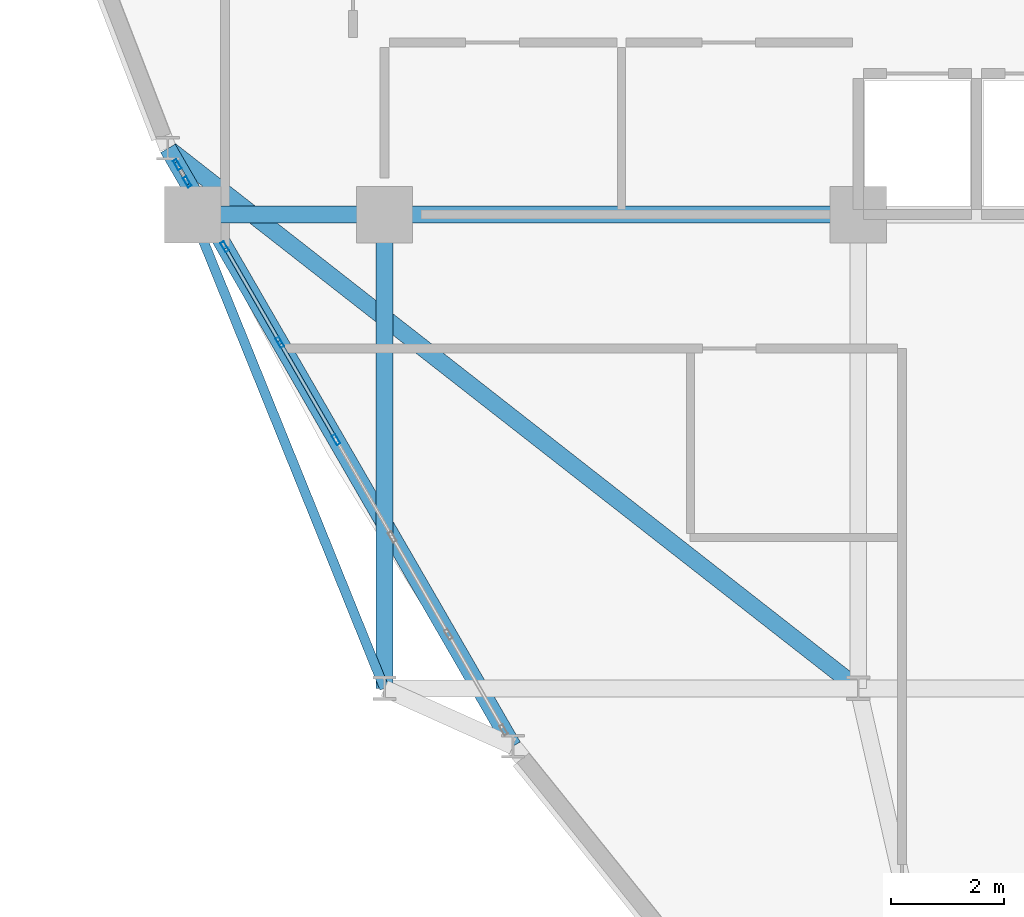
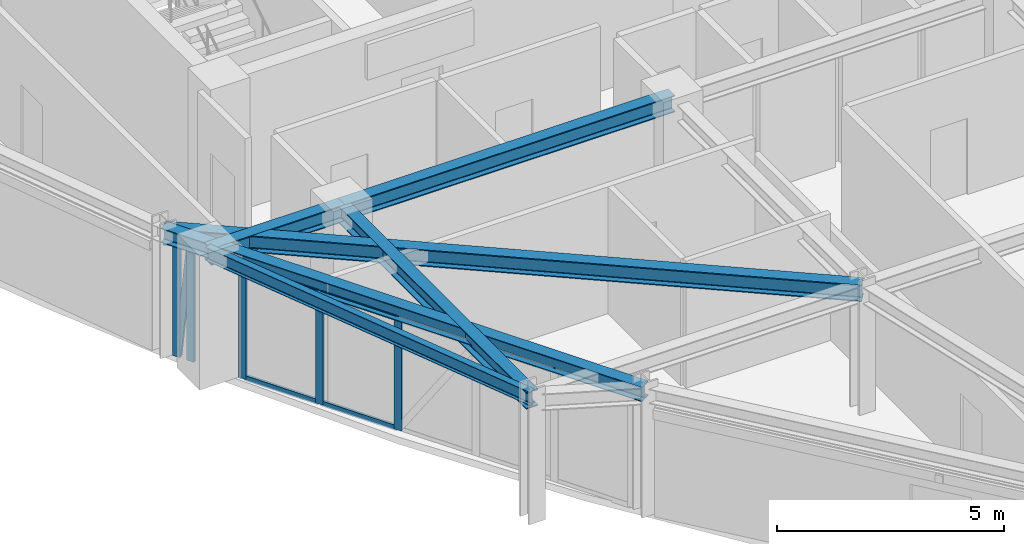
# One storey, part 5 of 16: 10 members, 6 beams, 2 elements without a shape of their own.
"""IFC4 building model written with IfcOpenShell, lengths in metres."""

import ifcopenshell
import ifcopenshell.guid

model = None  # the IFC model being written
_history = None  # IfcOwnerHistory: only IFC2X3 demands one
_inside = {}  # id of a spatial element -> (the spatial element, [elements in it])
_under = {}  # id of a project, library or spatial element -> (it, [spatial elements below it])
_declared = {}  # id of a project -> (the project, [libraries it declares])
_typed = {}  # id of a type object -> (the type object, [elements of that type])
_made_of = {}  # id of a material, layer set ... -> (it, [elements and type objects made of it])


def new_model(schema):
    """Start an empty IFC model of exactly this schema.

    Asked for "IFC4X3", IfcOpenShell would pick the latest addendum, in which some entities
    have other attributes; the version numbers below select the first issue.
    IFC2X3 requires an IfcOwnerHistory on every rooted entity: one is made here for all.
    """
    global model, _history
    if schema == "IFC4X3":
        model = ifcopenshell.file(schema_version=(4, 3, 0, 0))
    else:
        model = ifcopenshell.file(schema=schema)
    _inside.clear()
    _under.clear()
    _declared.clear()
    _typed.clear()
    _made_of.clear()
    _history = None
    if model.schema == "IFC2X3":
        org = make("IfcOrganization", Name="unknown")
        user = make(
            "IfcPersonAndOrganization",
            ThePerson=make("IfcPerson", FamilyName="unknown"),
            TheOrganization=org,
        )
        app = make(
            "IfcApplication",
            ApplicationDeveloper=org,
            Version="unknown",
            ApplicationFullName="unknown",
            ApplicationIdentifier="unknown",
        )
        _history = make(
            "IfcOwnerHistory",
            OwningUser=user,
            OwningApplication=app,
            ChangeAction="ADDED",
            CreationDate=0,
        )
    return model


def make(cls, **values):
    """One entity of the class cls with the attributes given. An attribute that is None is left unset."""
    return model.create_entity(
        cls, **{name: value for name, value in values.items() if value is not None}
    )


def rooted(cls, **values):
    """An entity with a GlobalId (a new one), such as an element, a storey or a relation."""
    return make(cls, GlobalId=ifcopenshell.guid.new(), OwnerHistory=_history, **values)


def si_unit(unit_type, name, prefix=None):
    """IfcSIUnit, for example si_unit("LENGTHUNIT", "METRE", prefix="MILLI")."""
    return make("IfcSIUnit", UnitType=unit_type, Prefix=prefix, Name=name)


def derived_unit(unit_type, elements):
    """IfcDerivedUnit: a product of units, each with its exponent."""
    return make(
        "IfcDerivedUnit",
        Elements=[
            make("IfcDerivedUnitElement", Unit=unit, Exponent=power)
            for unit, power in elements
        ],
        UnitType=unit_type,
    )


def assignment(units):
    """IfcUnitAssignment: the units of a project."""
    return None if units is None else make("IfcUnitAssignment", Units=units)


def point(xyz):
    """IfcCartesianPoint."""
    return None if xyz is None else make("IfcCartesianPoint", Coordinates=xyz)


def direction(xyz):
    """IfcDirection."""
    return None if xyz is None else make("IfcDirection", DirectionRatios=xyz)


def frame(location, z_axis=None, x_axis=None):
    """IfcAxis2Placement3D, a coordinate frame: its origin and axes. An axis left out is left unset."""
    return make(
        "IfcAxis2Placement3D",
        Location=point(location),
        Axis=direction(z_axis),
        RefDirection=direction(x_axis),
    )


def frame_2d(location, x_axis=None):
    """IfcAxis2Placement2D, a coordinate frame in the plane: its origin and x axis."""
    return make(
        "IfcAxis2Placement2D", Location=point(location), RefDirection=direction(x_axis)
    )


def origin():
    """The frame at (0, 0, 0) with its axes left unset."""
    return frame((0.0, 0.0, 0.0))


def origin_2d():
    """The frame at (0, 0) in the plane with its x axis left unset."""
    return frame_2d((0.0, 0.0))


def place(relative_to, where):
    """IfcLocalPlacement: puts the frame where relative to a parent placement (None: the world)."""
    return make(
        "IfcLocalPlacement", PlacementRelTo=relative_to, RelativePlacement=where
    )


def context(
    kind, dimensions, precision=None, world=None, true_north=None, identifier=None
):
    """IfcGeometricRepresentationContext, for example the 3D "Model" context."""
    return make(
        "IfcGeometricRepresentationContext",
        ContextIdentifier=identifier,
        ContextType=kind,
        CoordinateSpaceDimension=dimensions,
        Precision=precision,
        WorldCoordinateSystem=world,
        TrueNorth=true_north,
    )


def subcontext(parent, identifier, kind, view, scale=None):
    """IfcGeometricRepresentationSubContext, for example "Body" below "Model"."""
    return make(
        "IfcGeometricRepresentationSubContext",
        ContextIdentifier=identifier,
        ContextType=kind,
        ParentContext=parent,
        TargetScale=scale,
        TargetView=view,
    )


def project(units=None, contexts=None):
    """IfcProject with its units and contexts."""
    return rooted(
        "IfcProject",
        Name="project",
        RepresentationContexts=contexts,
        UnitsInContext=assignment(units),
    )


def spatial(cls, under=None, at=None, **own):
    """A site, building, storey or space (cls), placed at a placement, below another one or the project."""
    s = rooted(cls, ObjectPlacement=at, **own)
    if under is not None:
        _under.setdefault(under.id(), (under, []))[1].append(s)
    return s


def profile(cls, at=None, kind="AREA", **sizes):
    """A parametric profile (cls). Its sizes go by their IFC names, for example OverallWidth=200.0."""
    return make(cls, ProfileType=kind, Position=at, **sizes)


def hollow_rectangle(**sizes):
    """IfcRectangleHollowProfileDef."""
    return profile("IfcRectangleHollowProfileDef", **sizes)


def i_section(**sizes):
    """IfcIShapeProfileDef."""
    return profile("IfcIShapeProfileDef", **sizes)


def extrude(swept, where, along, depth):
    """IfcExtrudedAreaSolid: the profile swept, set in the frame where, extruded along a direction by depth."""
    return make(
        "IfcExtrudedAreaSolid",
        SweptArea=swept,
        Position=where,
        ExtrudedDirection=direction(along),
        Depth=depth,
    )


def shape(context_of_items, identifier, shape_type, items):
    """IfcShapeRepresentation: the items that make up one representation, for example the "Body"."""
    return make(
        "IfcShapeRepresentation",
        ContextOfItems=context_of_items,
        RepresentationIdentifier=identifier,
        RepresentationType=shape_type,
        Items=items,
    )


def source(mapping_origin, context_of_items, identifier, shape_type, items):
    """IfcRepresentationMap: a shape defined once, which mapped items show again and again."""
    return make(
        "IfcRepresentationMap",
        MappingOrigin=mapping_origin,
        MappedRepresentation=shape(context_of_items, identifier, shape_type, items),
    )


def transform(
    local_origin,
    x_axis=None,
    y_axis=None,
    z_axis=None,
    scale=None,
    scale2=None,
    scale3=None,
    uniform=True,
):
    """IfcCartesianTransformationOperator3D, or its non-uniform kind. x_axis, y_axis, z_axis: its Axis1, 2, 3."""
    if uniform:
        return make(
            "IfcCartesianTransformationOperator3D",
            Axis1=direction(x_axis),
            Axis2=direction(y_axis),
            LocalOrigin=point(local_origin),
            Scale=scale,
            Axis3=direction(z_axis),
        )
    return make(
        "IfcCartesianTransformationOperator3DnonUniform",
        Axis1=direction(x_axis),
        Axis2=direction(y_axis),
        LocalOrigin=point(local_origin),
        Scale=scale,
        Axis3=direction(z_axis),
        Scale2=scale2,
        Scale3=scale3,
    )


def mapped(mapping_source, mapping_target):
    """IfcMappedItem: shows the shape of a source again, moved by a transform."""
    return make(
        "IfcMappedItem", MappingSource=mapping_source, MappingTarget=mapping_target
    )


def material(Name=None, Category=None):
    """IfcMaterial."""
    return make("IfcMaterial", Name=Name, Category=Category)


def layer(
    of_material, thickness, ventilated=None, Name=None, Category=None, Priority=None
):
    """IfcMaterialLayer: one layer of a wall or slab, of a material (None: an air gap)."""
    return make(
        "IfcMaterialLayer",
        Material=of_material,
        LayerThickness=thickness,
        IsVentilated=ventilated,
        Name=Name,
        Category=Category,
        Priority=Priority,
    )


def layer_set(layers, Name=None):
    """IfcMaterialLayerSet."""
    return make("IfcMaterialLayerSet", MaterialLayers=layers, LayerSetName=Name)


def material_profile(
    of_material, cross_section, Name=None, Category=None, Priority=None
):
    """IfcMaterialProfile: a cross section and its material."""
    return make(
        "IfcMaterialProfile",
        Name=Name,
        Material=of_material,
        Profile=cross_section,
        Priority=Priority,
        Category=Category,
    )


def profile_set(profiles, Name=None, composite=None):
    """IfcMaterialProfileSet."""
    return make(
        "IfcMaterialProfileSet",
        Name=Name,
        MaterialProfiles=profiles,
        CompositeProfile=composite,
    )


def made_of(thing, what):
    """Note that an element or type object is made of a material, layer set ...; save() writes the relation."""
    if what is not None:
        _made_of.setdefault(what.id(), (what, []))[1].append(thing)
    return thing


def type_object(cls, material=None, **own):
    """A type object (cls), such as IfcWallType, which elements share."""
    return made_of(rooted(cls, **own), material)


def element(
    cls,
    number,
    at=None,
    inside=None,
    cuts=None,
    type_object=None,
    material=None,
    context=None,
    identifier="Body",
    shape_type=None,
    held_by="IfcProductDefinitionShape",
    body=None,
    shapes=None,
    **own,
):
    """One element of the class cls, such as IfcWall. Its Tag is "e" and its number.

    at: its placement. inside: the storey or other place that contains it. cuts: it is an
    opening in that element (IfcRelVoidsElement). A single representation is given by context,
    identifier, shape_type and body (its items); several are given by shapes. held_by: the class
    of the entity that holds the representations. save() writes the other relations.
    """
    e = rooted(cls, Tag="e%d" % number, ObjectPlacement=at, **own)
    if body is not None:
        shapes = [shape(context, identifier, shape_type, body)]
    if shapes is not None:
        e.Representation = make(held_by, Representations=shapes)
    if inside is not None:
        _inside.setdefault(inside.id(), (inside, []))[1].append(e)
    if cuts is not None:
        rooted(
            "IfcRelVoidsElement", RelatingBuildingElement=cuts, RelatedOpeningElement=e
        )
    if type_object is not None:
        _typed.setdefault(type_object.id(), (type_object, []))[1].append(e)
    return made_of(e, material)


def aggregate(whole, parts):
    """IfcRelAggregates: a whole, such as a stair, and the parts it consists of."""
    return rooted("IfcRelAggregates", RelatingObject=whole, RelatedObjects=parts)


def save(model, path):
    """Write the relations noted so far, then the file.

    IfcRelAggregates (storeys below a building ...), IfcRelContainedInSpatialStructure (elements
    in a storey), IfcRelDefinesByType, IfcRelAssociatesMaterial and IfcRelDeclares: one each for
    every whole, place, type object, material and project.
    """
    for whole, parts in _under.values():
        aggregate(whole, parts)
    for where, things in _inside.values():
        rooted(
            "IfcRelContainedInSpatialStructure",
            RelatedElements=things,
            RelatingStructure=where,
        )
    for kind, things in _typed.values():
        rooted("IfcRelDefinesByType", RelatedObjects=things, RelatingType=kind)
    for what, things in _made_of.values():
        rooted("IfcRelAssociatesMaterial", RelatedObjects=things, RelatingMaterial=what)
    for by, libraries in _declared.values():
        rooted("IfcRelDeclares", RelatingContext=by, RelatedDefinitions=libraries)
    model.write(path)


model = new_model("IFC4")

# Units and contexts
model_context = context("Model", 3, precision=1e-05, world=origin(), true_north=direction((0.0, 1.0)))
body_context = subcontext(model_context, "Body", "Model", "MODEL_VIEW")
ifc_project = project(units=[si_unit("LENGTHUNIT", "METRE"), si_unit("AREAUNIT", "SQUARE_METRE"), si_unit("VOLUMEUNIT", "CUBIC_METRE"), si_unit("PLANEANGLEUNIT", "RADIAN"), si_unit("MASSUNIT", "GRAM", prefix="KILO"), derived_unit("THERMALTRANSMITTANCEUNIT", [(si_unit("POWERUNIT", "WATT"), 1), (si_unit("LENGTHUNIT", "METRE"), -2), (si_unit("THERMODYNAMICTEMPERATUREUNIT", "KELVIN"), -1)])], contexts=[model_context])

# Site, building, storey
site_placement = place(None, origin())
site = spatial("IfcSite", under=ifc_project, at=site_placement, CompositionType="ELEMENT")
building_placement = place(site_placement, origin())
building = spatial("IfcBuilding", under=site, at=building_placement, Name="Korsvarv Bourse and Concert Hall", CompositionType="ELEMENT")
storey_placement = place(building_placement, frame((0.0, 0.0, 216.60009765625)))
storey = spatial("IfcBuildingStorey", under=building, at=storey_placement, Name="L56", CompositionType="ELEMENT", Elevation=216.60009765625)

# Beams
ifc_material_1 = material(Name="Steel S355", Category="steel")
ifc_material_profile_1 = material_profile(ifc_material_1, i_section(OverallWidth=0.169921875, OverallDepth=0.360107421875, WebThickness=0.008056640625, FlangeThickness=0.0126953125, FilletRadius=0.01806640625, at=origin_2d()), Name="IPE 360")
ifc_profile_set_1 = profile_set([ifc_material_profile_1], Name="Steel S355")
beam_type_1 = type_object("IfcBeamType", Name="BM-IPE360", PredefinedType="JOIST", material=ifc_profile_set_1)
shared_shape_1 = source(origin(), body_context, "Body", "SweptSolid", [
    extrude(i_section(OverallWidth=0.169921875, OverallDepth=0.360107421875, WebThickness=0.008056640625, FlangeThickness=0.0126953125, FilletRadius=0.01806640625, at=origin_2d()), origin(), (0.0, 0.0, 1.0), 9.06201171875),
])
beam_1_placement = place(storey_placement, frame((24.199951171875, 32.39990234375, 3.22998046875), z_axis=(0.375210394783, -0.926939674222, 0.0), x_axis=(0.926939674222, 0.375210394783, 0.0)))
element("IfcBeam", 1, at=beam_1_placement, inside=storey, type_object=beam_type_1, Name="L56 beam J-06", PredefinedType="JOIST", context=body_context, shape_type="MappedRepresentation", body=[
    mapped(shared_shape_1, transform((0.0, 0.0, 0.0), scale=1.0)),
])
ifc_material_profile_2 = material_profile(ifc_material_1, i_section(OverallWidth=0.300048828125, OverallDepth=0.449951171875, WebThickness=0.013916015625, FlangeThickness=0.02587890625, FilletRadius=0.02099609375, at=origin_2d()), Name="HEB 450")
ifc_profile_set_2 = profile_set([ifc_material_profile_2], Name="Steel S355")
beam_type_2 = type_object("IfcBeamType", Name="BM-HEB450", PredefinedType="SPANDREL", material=ifc_profile_set_2)
shared_shape_2 = source(origin(), body_context, "Body", "SweptSolid", [
    extrude(i_section(OverallWidth=0.300048828125, OverallDepth=0.449951171875, WebThickness=0.013916015625, FlangeThickness=0.02587890625, FilletRadius=0.02099609375, at=origin_2d()), origin(), (0.0, 0.0, 1.0), 3.400146484375),
])
beam_2_placement = place(storey_placement, frame((24.199951171875, 32.39990234375, 3.184814453125), z_axis=(1.0, 0.0, 0.0), x_axis=(0.0, 1.0, 0.0)))
element("IfcBeam", 2, at=beam_2_placement, inside=storey, type_object=beam_type_2, Name="L56 beam B-08", PredefinedType="SPANDREL", context=body_context, shape_type="MappedRepresentation", body=[
    mapped(shared_shape_2, transform((0.0, 0.0, 0.0), scale=1.0)),
])
shared_shape_3 = source(origin(), body_context, "Body", "SweptSolid", [
    extrude(i_section(OverallWidth=0.300048828125, OverallDepth=0.449951171875, WebThickness=0.013916015625, FlangeThickness=0.02587890625, FilletRadius=0.02099609375, at=origin_2d()), origin(), (0.0, 0.0, 1.0), 8.39990234375),
])
for number, where, z_axis, x_axis, name in (
    (3, (27.60009765625, 32.39990234375, 3.184814453125), (1.0, 0.0, 0.0), (0.0, 1.0, 0.0), "L56 beam B-08"),
    (4, (27.60009765625, 24.0, 3.184814453125), (0.0, 1.0, 0.0), (-1.0, 0.0, 0.0), "L56 beam B-08"),
):
    element("IfcBeam", number, at=place(storey_placement, frame(where, z_axis=z_axis, x_axis=x_axis)), inside=storey, type_object=beam_type_2, Name=name, PredefinedType="SPANDREL", context=body_context, shape_type="MappedRepresentation", body=[
        mapped(shared_shape_3, transform((0.0, 0.0, 0.0), scale=1.0)),
    ])
ifc_material_profile_3 = material_profile(ifc_material_1, i_section(OverallWidth=0.300048828125, OverallDepth=0.389892578125, WebThickness=0.010986328125, FlangeThickness=0.01904296875, FilletRadius=0.02099609375, at=origin_2d()), Name="HEA 400")
ifc_profile_set_3 = profile_set([ifc_material_profile_3], Name="Steel S355")
beam_type_3 = type_object("IfcBeamType", Name="BM-HEA400", PredefinedType="BEAM", material=ifc_profile_set_3)
shared_shape_4 = source(origin(), body_context, "Body", "SweptSolid", [
    extrude(i_section(OverallWidth=0.300048828125, OverallDepth=0.389892578125, WebThickness=0.010986328125, FlangeThickness=0.01904296875, FilletRadius=0.02099609375, at=origin_2d()), origin(), (0.0, 0.0, 1.0), 12.238037109375),
])
beam_3_placement = place(storey_placement, frame((23.760498046875, 33.57421875, 3.21484375), z_axis=(0.499994725302, -0.866028449111, 0.0), x_axis=(0.866028449111, 0.499994725302, 0.0)))
element("IfcBeam", 5, at=beam_3_placement, inside=storey, type_object=beam_type_3, Name="L56 beam B-11", PredefinedType="BEAM", context=body_context, shape_type="MappedRepresentation", body=[
    mapped(shared_shape_4, transform((0.0, 0.0, 0.0), scale=1.0)),
])
shared_shape_5 = source(origin(), body_context, "Body", "SweptSolid", [
    extrude(i_section(OverallWidth=0.300048828125, OverallDepth=0.449951171875, WebThickness=0.013916015625, FlangeThickness=0.02587890625, FilletRadius=0.02099609375, at=origin_2d()), origin(), (0.0, 0.0, 1.0), 15.539306640625),
])
beam_4_placement = place(storey_placement, frame((23.760498046875, 33.57421875, 3.184814453125), z_axis=(0.787646214756, -0.616127779264, 0.0), x_axis=(0.616127779264, 0.787646214756, 0.0)))
element("IfcBeam", 6, at=beam_4_placement, inside=storey, type_object=beam_type_2, Name="L56 beam B-08", PredefinedType="SPANDREL", context=body_context, shape_type="MappedRepresentation", body=[
    mapped(shared_shape_5, transform((0.0, 0.0, 0.0), scale=1.0)),
])

# Curtain wall, members
ifc_material_2 = material(Name="Anodised aluminium and triple low-E glazing", Category="glass")
ifc_layer = layer(ifc_material_2, 0.199951171875)
ifc_layer_set = layer_set([ifc_layer], Name="Anodised aluminium and triple low-E glazing")
curtain_wall_type = type_object("IfcCurtainWallType", Name="CW-SYS-3", PredefinedType="NOTDEFINED", material=ifc_layer_set)
curtain_wall_1_placement = place(storey_placement, origin())
curtain_wall_1 = element("IfcCurtainWall", 7, at=curtain_wall_1_placement, inside=storey, type_object=curtain_wall_type, Name="L56 CW3 curtain wall CW-L56-F07-2", PredefinedType="NOTDEFINED")
ifc_material_3 = material(Name="Extruded aluminium EN AW-6063 T66", Category="aluminium")
ifc_material_profile_4 = material_profile(ifc_material_3, hollow_rectangle(XDim=0.070068359375, YDim=0.18994140625, WallThickness=0.0048828125, at=origin_2d()), Name="ALU-M 70x190")
ifc_profile_set_4 = profile_set([ifc_material_profile_4], Name="Extruded aluminium EN AW-6063 T66")
member_type_1 = type_object("IfcMemberType", Name="CWM-190", PredefinedType="MULLION", material=ifc_profile_set_4)
shared_shape_6 = source(origin(), body_context, "Body", "SweptSolid", [
    extrude(hollow_rectangle(XDim=0.070068359375, YDim=0.18994140625, WallThickness=0.0048828125, at=origin_2d()), origin(), (0.0, 0.0, 1.0), 3.02001953125),
])
member_1_placement = place(storey_placement, frame((24.767578125, 31.830078125, 0.0), z_axis=(0.0, 0.0, 1.0), x_axis=(0.866027766968, 0.499995906824, 0.0)))
member_1 = element("IfcMember", 8, at=member_1_placement, type_object=member_type_1, Name="CW3 mullion 1", PredefinedType="MULLION", context=body_context, shape_type="MappedRepresentation", body=[
    mapped(shared_shape_6, transform((0.0, 0.0, 0.0), scale=1.0)),
])
member_2_placement = place(storey_placement, frame((25.74609375, 30.135009765625, 0.0), z_axis=(0.0, 0.0, 1.0), x_axis=(0.866027766968, 0.499995906824, 0.0)))
member_2 = element("IfcMember", 9, at=member_2_placement, type_object=member_type_1, Name="CW3 mullion 2", PredefinedType="MULLION", context=body_context, shape_type="MappedRepresentation", body=[
    mapped(shared_shape_6, transform((0.0, 0.0, 0.0), scale=1.0)),
])
member_3_placement = place(storey_placement, frame((26.7421875, 28.40966796875, 0.0), z_axis=(0.0, 0.0, 1.0), x_axis=(0.866027766968, 0.499995906824, 0.0)))
member_3 = element("IfcMember", 10, at=member_3_placement, type_object=member_type_1, Name="CW3 mullion 3", PredefinedType="MULLION", context=body_context, shape_type="MappedRepresentation", body=[
    mapped(shared_shape_6, transform((0.0, 0.0, 0.0), scale=1.0)),
])

curtain_wall_2_placement = place(storey_placement, origin())
curtain_wall_2 = element("IfcCurtainWall", 11, at=curtain_wall_2_placement, inside=storey, type_object=curtain_wall_type, Name="L56 CW3 curtain wall CW-L56-F07-1", PredefinedType="NOTDEFINED")
shared_shape_7 = source(origin(), body_context, "Body", "SweptSolid", [
    extrude(hollow_rectangle(XDim=0.070068359375, YDim=0.18994140625, WallThickness=0.0048828125, at=origin_2d()), origin(), (0.0, 0.0, 1.0), 2.9599609375),
])
member_4_placement = place(storey_placement, frame((23.927001953125, 33.285888671875, 0.0), z_axis=(0.0, 0.0, 1.0), x_axis=(0.866051688791, 0.49995447027, 0.0)))
member_4 = element("IfcMember", 12, at=member_4_placement, type_object=member_type_1, Name="CW3 mullion 1", PredefinedType="MULLION", context=body_context, shape_type="MappedRepresentation", body=[
    mapped(shared_shape_7, transform((0.0, 0.0, 0.0), scale=1.0)),
])
member_5_placement = place(storey_placement, frame((24.103515625, 32.980224609375, 0.0), z_axis=(0.0, 0.0, 1.0), x_axis=(0.866051688791, 0.49995447027, 0.0)))
member_5 = element("IfcMember", 13, at=member_5_placement, type_object=member_type_1, Name="CW3 mullion 2", PredefinedType="MULLION", context=body_context, shape_type="MappedRepresentation", body=[
    mapped(shared_shape_7, transform((0.0, 0.0, 0.0), scale=1.0)),
])
ifc_material_profile_5 = material_profile(ifc_material_3, hollow_rectangle(XDim=0.06494140625, YDim=0.1650390625, WallThickness=0.0048828125, at=origin_2d()), Name="ALU-M 65x165")
ifc_profile_set_5 = profile_set([ifc_material_profile_5], Name="Extruded aluminium EN AW-6063 T66")
member_type_2 = type_object("IfcMemberType", Name="CWM-165", PredefinedType="MULLION", material=ifc_profile_set_5)
shared_shape_8 = source(origin(), body_context, "Body", "SweptSolid", [
    extrude(hollow_rectangle(XDim=0.06494140625, YDim=0.1650390625, WallThickness=0.0048828125, at=origin_2d()), origin(), (0.0, 0.0, 1.0), 2.84423828125),
])
member_6_placement = place(storey_placement, frame((23.944580078125, 33.255615234375, 0.06494140625), z_axis=(0.049700813328, -0.086096573002, 0.995046335239), x_axis=(0.866056180903, 0.499946688677, 0.0)))
member_6 = element("IfcMember", 14, at=member_6_placement, type_object=member_type_2, Name="CW3 diagonal mullion 1", PredefinedType="MULLION", context=body_context, shape_type="MappedRepresentation", body=[
    mapped(shared_shape_8, transform((0.0, 0.0, 0.0), scale=1.0)),
])
aggregate(curtain_wall_2, [member_4, member_5, member_6])

# Member
ifc_material_profile_6 = material_profile(ifc_material_3, hollow_rectangle(XDim=0.06494140625, YDim=0.139892578125, WallThickness=0.00390625, at=origin_2d()), Name="ALU-T 65x140")
ifc_profile_set_6 = profile_set([ifc_material_profile_6], Name="Extruded aluminium EN AW-6063 T66")
member_type_3 = type_object("IfcMemberType", Name="CWT-140", PredefinedType="USERDEFINED", material=ifc_profile_set_6)
shared_shape_9 = source(origin(), body_context, "Body", "SweptSolid", [
    extrude(hollow_rectangle(XDim=0.06494140625, YDim=0.139892578125, WallThickness=0.00390625, at=origin_2d()), origin(), (0.0, 0.0, 1.0), 1.88720703125),
])
member_7_placement = place(storey_placement, frame((24.784912109375, 31.799560546875, 0.032470703125), z_axis=(0.500021083992, -0.866013230594, 0.0), x_axis=(0.866013230594, 0.500021083992, 0.0)))
member_7 = element("IfcMember", 15, at=member_7_placement, type_object=member_type_3, Name="CW3 transom 1.1", ObjectType="TRANSOM", PredefinedType="USERDEFINED", context=body_context, shape_type="MappedRepresentation", body=[
    mapped(shared_shape_9, transform((0.0, 0.0, 0.0), scale=1.0)),
])

member_8_placement = place(storey_placement, frame((24.784912109375, 31.799560546875, 2.9873046875), z_axis=(0.500021083992, -0.866013230594, 0.0), x_axis=(0.866013230594, 0.500021083992, 0.0)))
member_8 = element("IfcMember", 16, at=member_8_placement, type_object=member_type_3, Name="CW3 transom 1.2", ObjectType="TRANSOM", PredefinedType="USERDEFINED", context=body_context, shape_type="MappedRepresentation", body=[
    mapped(shared_shape_9, transform((0.0, 0.0, 0.0), scale=1.0)),
])

shared_shape_10 = source(origin(), body_context, "Body", "SweptSolid", [
    extrude(hollow_rectangle(XDim=0.06494140625, YDim=0.139892578125, WallThickness=0.00390625, at=origin_2d()), origin(), (0.0, 0.0, 1.0), 1.922119140625),
])
member_9_placement = place(storey_placement, frame((25.763671875, 30.104736328125, 0.032470703125), z_axis=(0.499909361484, -0.866077727632, 0.0), x_axis=(0.866077727632, 0.499909361484, 0.0)))
member_9 = element("IfcMember", 17, at=member_9_placement, type_object=member_type_3, Name="CW3 transom 2.1", ObjectType="TRANSOM", PredefinedType="USERDEFINED", context=body_context, shape_type="MappedRepresentation", body=[
    mapped(shared_shape_10, transform((0.0, 0.0, 0.0), scale=1.0)),
])

member_10_placement = place(storey_placement, frame((25.763671875, 30.104736328125, 2.9873046875), z_axis=(0.499909361484, -0.866077727632, 0.0), x_axis=(0.866077727632, 0.499909361484, 0.0)))
member_10 = element("IfcMember", 18, at=member_10_placement, type_object=member_type_3, Name="CW3 transom 2.2", ObjectType="TRANSOM", PredefinedType="USERDEFINED", context=body_context, shape_type="MappedRepresentation", body=[
    mapped(shared_shape_10, transform((0.0, 0.0, 0.0), scale=1.0)),
])

aggregate(curtain_wall_1, [member_1, member_2, member_3, member_7, member_8, member_9, member_10])

save(model, "model.ifc")
